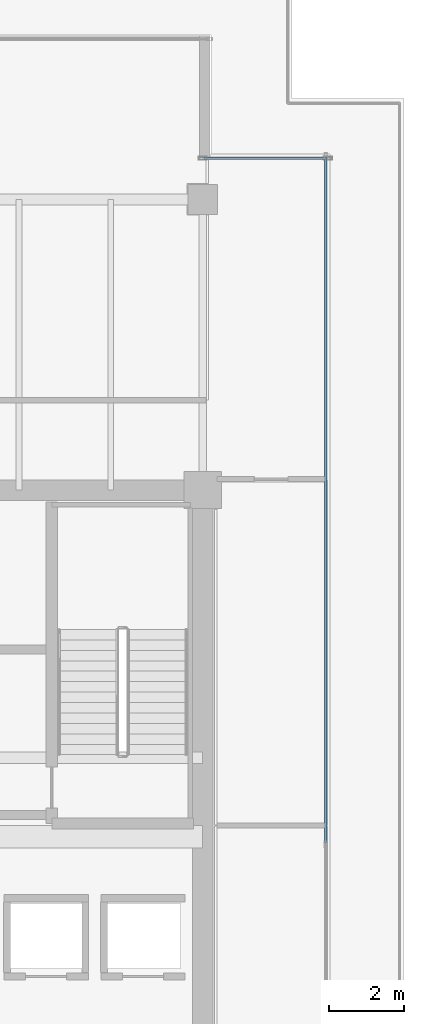
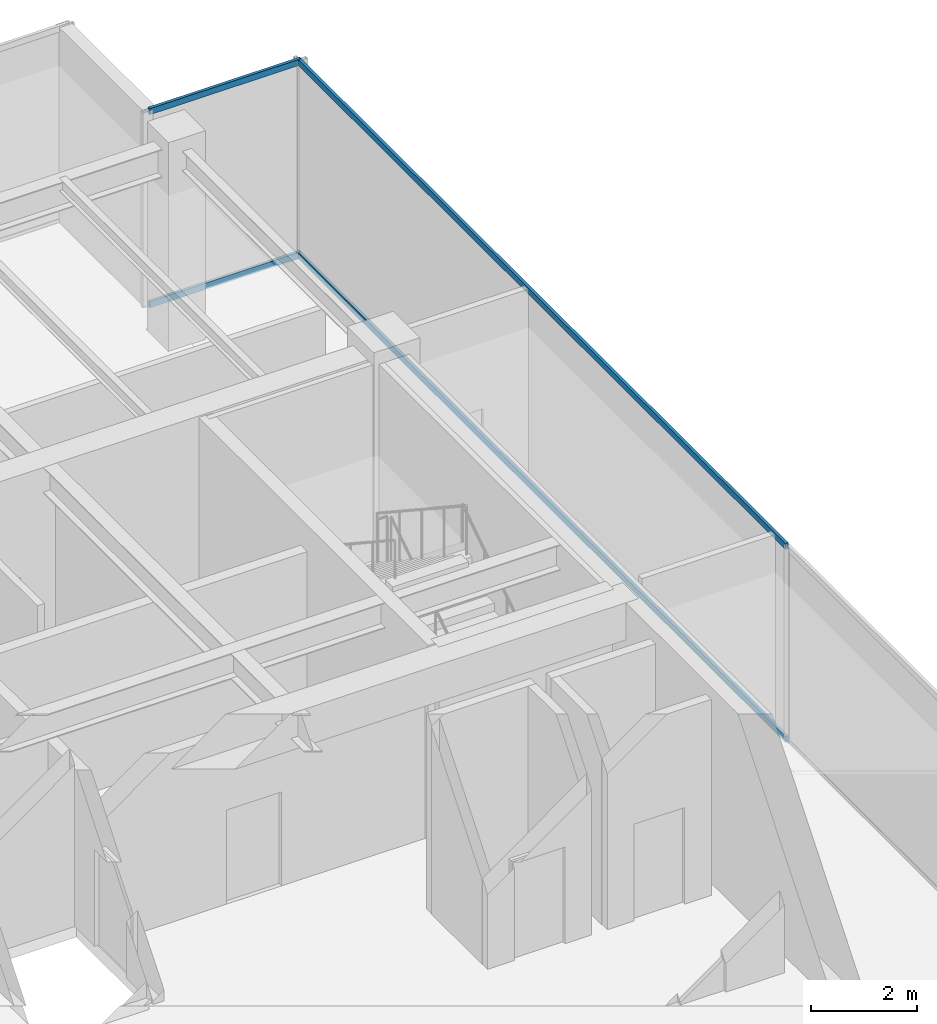
# One storey, part 25 of 37: 4 members, 2 elements without a shape of their own.
"""IFC4 building model written with IfcOpenShell, lengths in metres."""

from ifc_helpers import new_model, si_unit, direction, frame, origin, origin_2d, place, context, subcontext, project, spatial, hollow_rectangle, extrude, source, transform, mapped, material, layer, layer_set, material_profile, profile_set, type_object, type_shapes, element, aggregate, save


model = new_model("IFC4")

# Units and contexts
model_context = context("Model", 3, precision=1e-05, world=origin(), true_north=direction((0.0, 1.0)))
body_context = subcontext(model_context, "Body", "Model", "MODEL_VIEW")
ifc_project = project(units=[si_unit("LENGTHUNIT", "METRE"), si_unit("AREAUNIT", "SQUARE_METRE"), si_unit("VOLUMEUNIT", "CUBIC_METRE"), si_unit("PLANEANGLEUNIT", "RADIAN"), si_unit("MASSUNIT", "GRAM", prefix="KILO")], contexts=[model_context])

# Site, building, storey
site_placement = place(None, origin())
site = spatial("IfcSite", under=ifc_project, at=site_placement, CompositionType="ELEMENT")
building_placement = place(site_placement, origin())
building = spatial("IfcBuilding", under=site, at=building_placement, Name="Haelvirn Gate Laboratories", CompositionType="ELEMENT")
storey_placement = place(building_placement, frame((0.0, 0.0, 196.60009765625)))
storey = spatial("IfcBuildingStorey", under=building, at=storey_placement, Name="L47", CompositionType="ELEMENT", Elevation=196.60009765625)

# Curtain wall, members
ifc_material_1 = material(Name="Anodised bronze unitised aluminium & triple low-E glass", Category="aluminium")
ifc_layer_1 = layer(ifc_material_1, 0.181884765625, Name="CW-SYS-5")
ifc_layer_set_1 = layer_set([ifc_layer_1], Name="Anodised bronze unitised aluminium & triple low-E glass")
curtain_wall_type_1 = type_object("IfcCurtainWallType", Name="CW-SYS-5", PredefinedType="NOTDEFINED", material=ifc_layer_set_1)
curtain_wall_1_placement = place(storey_placement, origin())
curtain_wall_1 = element("IfcCurtainWall", 1, at=curtain_wall_1_placement, inside=storey, type_object=curtain_wall_type_1, Name="L47 Unitised Curtain Wall CW-L47-P0-E08-1", PredefinedType="NOTDEFINED")
ifc_material_2 = material(Name="Extruded aluminium 6063-T6 (anodised bronze)", Category="aluminium")
ifc_material_profile = material_profile(ifc_material_2, hollow_rectangle(XDim=0.06494140625, YDim=0.139892578125, WallThickness=0.00390625, at=origin_2d()), Name="CWT-140x65x4")
ifc_profile_set = profile_set([ifc_material_profile], Name="Extruded aluminium 6063-T6 (anodised bronze)")
member_type = type_object("IfcMemberType", Name="CWT-T140", PredefinedType="USERDEFINED", material=ifc_profile_set)
shared_shape_1 = source(origin(), body_context, "Body", "SweptSolid", [
    extrude(hollow_rectangle(XDim=0.06494140625, YDim=0.139892578125, WallThickness=0.00390625, at=origin_2d()), origin(), (0.0, 0.0, 1.0), 3.280029296875),
])
member_1_placement = place(storey_placement, frame((67.43994140625, 42.699951171875, 0.032470703125), z_axis=(1.0, 0.0, 0.0), x_axis=(0.0, 1.0, 0.0)))
member_1 = element("IfcMember", 2, at=member_1_placement, type_object=member_type, Name="CW5 transom 1.1", ObjectType="TRANSOM", PredefinedType="USERDEFINED", context=body_context, shape_type="MappedRepresentation", body=[
    mapped(shared_shape_1, transform((0.0, 0.0, 0.0), scale=1.0)),
])
member_2_placement = place(storey_placement, frame((67.43994140625, 42.699951171875, 4.46728515625), z_axis=(1.0, 0.0, 0.0), x_axis=(0.0, 1.0, 0.0)))
member_2 = element("IfcMember", 3, at=member_2_placement, type_object=member_type, Name="CW5 transom 1.2", ObjectType="TRANSOM", PredefinedType="USERDEFINED", context=body_context, shape_type="MappedRepresentation", body=[
    mapped(shared_shape_1, transform((0.0, 0.0, 0.0), scale=1.0)),
])
aggregate(curtain_wall_1, [member_1, member_2])

ifc_layer_2 = layer(ifc_material_1, 0.176025390625, Name="CW-SYS-4")
ifc_layer_set_2 = layer_set([ifc_layer_2], Name="Anodised bronze unitised aluminium & triple low-E glass")
curtain_wall_type_2 = type_object("IfcCurtainWallType", Name="CW-SYS-4", PredefinedType="NOTDEFINED", material=ifc_layer_set_2)
curtain_wall_2_placement = place(storey_placement, origin())
curtain_wall_2 = element("IfcCurtainWall", 4, at=curtain_wall_2_placement, inside=storey, type_object=curtain_wall_type_2, Name="L47 Unitised Curtain Wall CW-L47-P0-E07", PredefinedType="NOTDEFINED")
shared_shape_2 = source(origin(), body_context, "Body", "SweptSolid", [
    extrude(hollow_rectangle(XDim=0.06494140625, YDim=0.139892578125, WallThickness=0.00390625, at=origin_2d()), origin(), (0.0, 0.0, 1.0), 18.39501953125),
])
type_shapes(member_type, [shared_shape_1, shared_shape_2])
member_3_placement = place(storey_placement, frame((70.699951171875, 24.3349609375, 0.032470703125), z_axis=(0.0, 1.0, 0.0), x_axis=(-1.0, 0.0, 0.0)))
member_3 = element("IfcMember", 5, at=member_3_placement, type_object=member_type, Name="CW4 transom 2.1", ObjectType="TRANSOM", PredefinedType="USERDEFINED", context=body_context, shape_type="MappedRepresentation", body=[
    mapped(shared_shape_2, transform((0.0, 0.0, 0.0), scale=1.0)),
])
member_4_placement = place(storey_placement, frame((70.699951171875, 24.3349609375, 4.46728515625), z_axis=(0.0, 1.0, 0.0), x_axis=(-1.0, 0.0, 0.0)))
member_4 = element("IfcMember", 6, at=member_4_placement, type_object=member_type, Name="CW4 transom 2.2", ObjectType="TRANSOM", PredefinedType="USERDEFINED", context=body_context, shape_type="MappedRepresentation", body=[
    mapped(shared_shape_2, transform((0.0, 0.0, 0.0), scale=1.0)),
])
aggregate(curtain_wall_2, [member_3, member_4])

save(model, "model.ifc")
